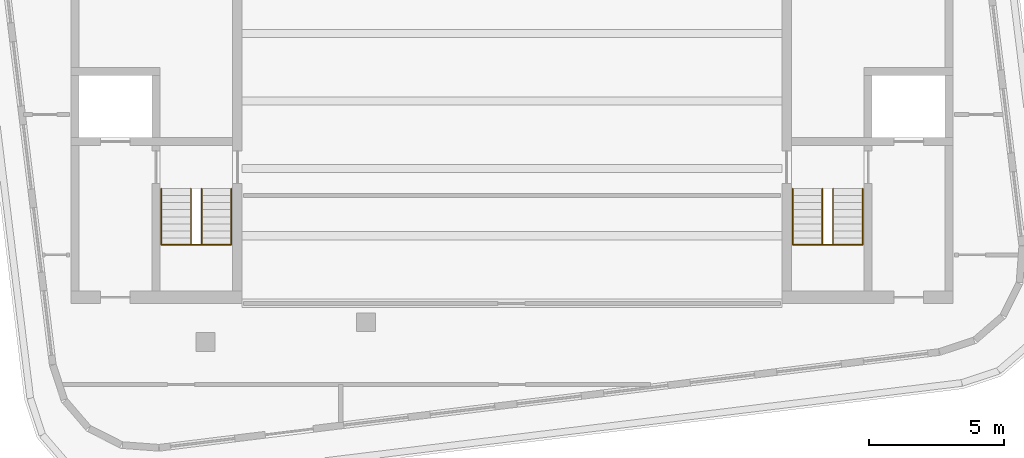
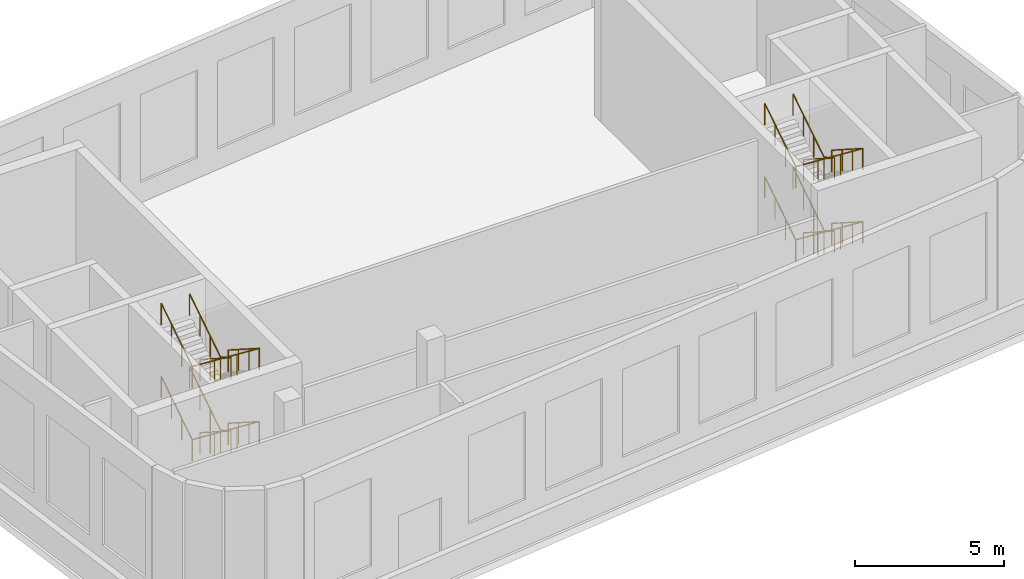
# One storey, part 5 of 5: 8 railings.
"""IFC4 building model written with IfcOpenShell, lengths in metres."""

from ifc_helpers import new_model, si_unit, direction, frame, origin, origin_2d, place, context, subcontext, project, spatial, circle, extrude, material, type_object, element, save


model = new_model("IFC4")

# Units and contexts
model_context = context("Model", 3, precision=1e-05, world=origin(), true_north=direction((0.0, 1.0)))
body_context = subcontext(model_context, "Body", "Model", "MODEL_VIEW")
ifc_project = project(units=[si_unit("LENGTHUNIT", "METRE"), si_unit("AREAUNIT", "SQUARE_METRE"), si_unit("VOLUMEUNIT", "CUBIC_METRE"), si_unit("PLANEANGLEUNIT", "RADIAN"), si_unit("MASSUNIT", "GRAM", prefix="KILO")], contexts=[model_context])

# Site, building, storey
site_placement = place(None, origin())
site = spatial("IfcSite", under=ifc_project, at=site_placement, CompositionType="ELEMENT")
building_placement = place(site_placement, origin())
building = spatial("IfcBuilding", under=site, at=building_placement, Name="Torana Hotel and Residences", CompositionType="ELEMENT")
storey_placement = place(building_placement, frame((0.0, 0.0, 357.39990234375)))
storey = spatial("IfcBuildingStorey", under=building, at=storey_placement, Name="C4", CompositionType="ELEMENT", Elevation=357.39990234375)

# Railings
ifc_material = material(Name="Stainless steel 316", Category="steel")
railing_type = type_object("IfcRailingType", Name="STAIR HANDRAIL HR1 900", PredefinedType="HANDRAIL", material=ifc_material)
railing_1_placement = place(storey_placement, frame((-10.39990234375, -10.75, 0.166748046875)))
element("IfcRailing", 1, at=railing_1_placement, inside=storey, type_object=railing_type, Name="Handrail ST1 C4 O1", PredefinedType="HANDRAIL", context=body_context, shape_type="SweptSolid", body=[
    extrude(circle(Radius=0.02392578125, at=origin_2d()), frame((0.0, 0.0, 0.8759765625), z_axis=(0.0, -0.841903312325, 0.539628402418), x_axis=(1.0, 0.0, 0.0)), (0.0, 0.0, 1.0), 2.470703125),
    extrude(circle(Radius=0.02392578125, at=origin_2d()), frame((0.0, -2.080078125, 2.208984375), z_axis=(-0.997949899857, 0.0, 0.063999979493), x_axis=(0.0, -1.0, 0.0)), (0.0, 0.0, 1.0), 2.60546875),
    extrude(circle(Radius=0.02392578125, at=origin_2d()), frame((-2.60009765625, -2.080078125, 2.3759765625), z_axis=(0.0, 0.841903312325, 0.539628402418), x_axis=(-1.0, 0.0, 0.0)), (0.0, 0.0, 1.0), 2.470703125),
    extrude(circle(Radius=0.02099609375, at=origin_2d()), origin(), (0.0, 0.0, 1.0), 0.851806640625),
    extrude(circle(Radius=0.02099609375, at=origin_2d()), frame((0.0, -0.693359375, 0.4443359375)), (0.0, 0.0, 1.0), 0.851806640625),
    extrude(circle(Radius=0.02099609375, at=origin_2d()), frame((0.0, -1.38671875, 0.888916015625)), (0.0, 0.0, 1.0), 0.851806640625),
    extrude(circle(Radius=0.02099609375, at=origin_2d()), frame((0.0, -2.080078125, 1.333251953125)), (0.0, 0.0, 1.0), 0.851806640625),
    extrude(circle(Radius=0.02099609375, at=origin_2d()), frame((-0.86669921875, -2.080078125, 1.388916015625)), (0.0, 0.0, 1.0), 0.851806640625),
    extrude(circle(Radius=0.02099609375, at=origin_2d()), frame((-1.7333984375, -2.080078125, 1.4443359375)), (0.0, 0.0, 1.0), 0.851806640625),
    extrude(circle(Radius=0.02099609375, at=origin_2d()), frame((-2.60009765625, -2.080078125, 1.5)), (0.0, 0.0, 1.0), 0.851806640625),
    extrude(circle(Radius=0.02099609375, at=origin_2d()), frame((-2.60009765625, -1.38671875, 1.9443359375)), (0.0, 0.0, 1.0), 0.851806640625),
    extrude(circle(Radius=0.02099609375, at=origin_2d()), frame((-2.60009765625, -0.693359375, 2.388916015625)), (0.0, 0.0, 1.0), 0.851806640625),
    extrude(circle(Radius=0.02099609375, at=origin_2d()), frame((-2.60009765625, 0.0, 2.833251953125)), (0.0, 0.0, 1.0), 0.851806640625),
])
railing_2_placement = place(storey_placement, frame((-11.5, -10.75, 0.166748046875)))
element("IfcRailing", 2, at=railing_2_placement, inside=storey, type_object=railing_type, Name="Handrail ST1 C4 I1", PredefinedType="HANDRAIL", context=body_context, shape_type="SweptSolid", body=[
    extrude(circle(Radius=0.02392578125, at=origin_2d()), frame((0.0, 0.0, 0.8759765625), z_axis=(0.0, -0.841903312325, 0.539628402418), x_axis=(1.0, 0.0, 0.0)), (0.0, 0.0, 1.0), 2.470703125),
    extrude(circle(Radius=0.02392578125, at=origin_2d()), frame((0.0, -2.080078125, 2.208984375), z_axis=(-0.922976866191, 0.0, 0.384855433216), x_axis=(0.0, -1.0, 0.0)), (0.0, 0.0, 1.0), 0.433349609375),
    extrude(circle(Radius=0.02392578125, at=origin_2d()), frame((-0.39990234375, -2.080078125, 2.3759765625), z_axis=(0.0, 0.841903312325, 0.539628402418), x_axis=(-1.0, 0.0, 0.0)), (0.0, 0.0, 1.0), 2.470703125),
    extrude(circle(Radius=0.02099609375, at=origin_2d()), origin(), (0.0, 0.0, 1.0), 0.851806640625),
    extrude(circle(Radius=0.02099609375, at=origin_2d()), frame((0.0, -0.693359375, 0.4443359375)), (0.0, 0.0, 1.0), 0.851806640625),
    extrude(circle(Radius=0.02099609375, at=origin_2d()), frame((0.0, -1.38671875, 0.888916015625)), (0.0, 0.0, 1.0), 0.851806640625),
    extrude(circle(Radius=0.02099609375, at=origin_2d()), frame((0.0, -2.080078125, 1.333251953125)), (0.0, 0.0, 1.0), 0.851806640625),
    extrude(circle(Radius=0.02099609375, at=origin_2d()), frame((-0.39990234375, -2.080078125, 1.5)), (0.0, 0.0, 1.0), 0.851806640625),
    extrude(circle(Radius=0.02099609375, at=origin_2d()), frame((-0.39990234375, -1.38671875, 1.9443359375)), (0.0, 0.0, 1.0), 0.851806640625),
    extrude(circle(Radius=0.02099609375, at=origin_2d()), frame((-0.39990234375, -0.693359375, 2.388916015625)), (0.0, 0.0, 1.0), 0.851806640625),
    extrude(circle(Radius=0.02099609375, at=origin_2d()), frame((-0.39990234375, 0.0, 2.833251953125)), (0.0, 0.0, 1.0), 0.851806640625),
])
railing_3_placement = place(storey_placement, frame((-10.39990234375, -10.75, 3.166748046875)))
element("IfcRailing", 3, at=railing_3_placement, inside=storey, type_object=railing_type, Name="Handrail ST1 C4 O2", PredefinedType="HANDRAIL", context=body_context, shape_type="SweptSolid", body=[
    extrude(circle(Radius=0.02392578125, at=origin_2d()), frame((0.0, 0.0, 0.8759765625), z_axis=(0.0, -0.841903312325, 0.539628402418), x_axis=(1.0, 0.0, 0.0)), (0.0, 0.0, 1.0), 2.470703125),
    extrude(circle(Radius=0.02392578125, at=origin_2d()), frame((0.0, -2.080078125, 2.208984375), z_axis=(-0.997949899857, 0.0, 0.063999979493), x_axis=(0.0, -1.0, 0.0)), (0.0, 0.0, 1.0), 2.60546875),
    extrude(circle(Radius=0.02392578125, at=origin_2d()), frame((-2.60009765625, -2.080078125, 2.3759765625), z_axis=(0.0, 0.841903312325, 0.539628402418), x_axis=(-1.0, 0.0, 0.0)), (0.0, 0.0, 1.0), 2.470703125),
    extrude(circle(Radius=0.02099609375, at=origin_2d()), origin(), (0.0, 0.0, 1.0), 0.851806640625),
    extrude(circle(Radius=0.02099609375, at=origin_2d()), frame((0.0, -0.693359375, 0.4443359375)), (0.0, 0.0, 1.0), 0.851806640625),
    extrude(circle(Radius=0.02099609375, at=origin_2d()), frame((0.0, -1.38671875, 0.888916015625)), (0.0, 0.0, 1.0), 0.851806640625),
    extrude(circle(Radius=0.02099609375, at=origin_2d()), frame((0.0, -2.080078125, 1.333251953125)), (0.0, 0.0, 1.0), 0.851806640625),
    extrude(circle(Radius=0.02099609375, at=origin_2d()), frame((-0.86669921875, -2.080078125, 1.388916015625)), (0.0, 0.0, 1.0), 0.851806640625),
    extrude(circle(Radius=0.02099609375, at=origin_2d()), frame((-1.7333984375, -2.080078125, 1.4443359375)), (0.0, 0.0, 1.0), 0.851806640625),
    extrude(circle(Radius=0.02099609375, at=origin_2d()), frame((-2.60009765625, -2.080078125, 1.5)), (0.0, 0.0, 1.0), 0.851806640625),
    extrude(circle(Radius=0.02099609375, at=origin_2d()), frame((-2.60009765625, -1.38671875, 1.9443359375)), (0.0, 0.0, 1.0), 0.851806640625),
    extrude(circle(Radius=0.02099609375, at=origin_2d()), frame((-2.60009765625, -0.693359375, 2.388916015625)), (0.0, 0.0, 1.0), 0.851806640625),
    extrude(circle(Radius=0.02099609375, at=origin_2d()), frame((-2.60009765625, 0.0, 2.833251953125)), (0.0, 0.0, 1.0), 0.851806640625),
])
railing_4_placement = place(storey_placement, frame((-11.5, -10.75, 3.166748046875)))
element("IfcRailing", 4, at=railing_4_placement, inside=storey, type_object=railing_type, Name="Handrail ST1 C4 I2", PredefinedType="HANDRAIL", context=body_context, shape_type="SweptSolid", body=[
    extrude(circle(Radius=0.02392578125, at=origin_2d()), frame((0.0, 0.0, 0.8759765625), z_axis=(0.0, -0.841903312325, 0.539628402418), x_axis=(1.0, 0.0, 0.0)), (0.0, 0.0, 1.0), 2.470703125),
    extrude(circle(Radius=0.02392578125, at=origin_2d()), frame((0.0, -2.080078125, 2.208984375), z_axis=(-0.922976866191, 0.0, 0.384855433216), x_axis=(0.0, -1.0, 0.0)), (0.0, 0.0, 1.0), 0.433349609375),
    extrude(circle(Radius=0.02392578125, at=origin_2d()), frame((-0.39990234375, -2.080078125, 2.3759765625), z_axis=(0.0, 0.841903312325, 0.539628402418), x_axis=(-1.0, 0.0, 0.0)), (0.0, 0.0, 1.0), 2.470703125),
    extrude(circle(Radius=0.02099609375, at=origin_2d()), origin(), (0.0, 0.0, 1.0), 0.851806640625),
    extrude(circle(Radius=0.02099609375, at=origin_2d()), frame((0.0, -0.693359375, 0.4443359375)), (0.0, 0.0, 1.0), 0.851806640625),
    extrude(circle(Radius=0.02099609375, at=origin_2d()), frame((0.0, -1.38671875, 0.888916015625)), (0.0, 0.0, 1.0), 0.851806640625),
    extrude(circle(Radius=0.02099609375, at=origin_2d()), frame((0.0, -2.080078125, 1.333251953125)), (0.0, 0.0, 1.0), 0.851806640625),
    extrude(circle(Radius=0.02099609375, at=origin_2d()), frame((-0.39990234375, -2.080078125, 1.5)), (0.0, 0.0, 1.0), 0.851806640625),
    extrude(circle(Radius=0.02099609375, at=origin_2d()), frame((-0.39990234375, -1.38671875, 1.9443359375)), (0.0, 0.0, 1.0), 0.851806640625),
    extrude(circle(Radius=0.02099609375, at=origin_2d()), frame((-0.39990234375, -0.693359375, 2.388916015625)), (0.0, 0.0, 1.0), 0.851806640625),
    extrude(circle(Radius=0.02099609375, at=origin_2d()), frame((-0.39990234375, 0.0, 2.833251953125)), (0.0, 0.0, 1.0), 0.851806640625),
])
railing_5_placement = place(storey_placement, frame((13.0, -10.75, 0.166748046875)))
element("IfcRailing", 5, at=railing_5_placement, inside=storey, type_object=railing_type, Name="Handrail ST3 C4 O1", PredefinedType="HANDRAIL", context=body_context, shape_type="SweptSolid", body=[
    extrude(circle(Radius=0.02392578125, at=origin_2d()), frame((0.0, 0.0, 0.8759765625), z_axis=(0.0, -0.841903312325, 0.539628402418), x_axis=(1.0, 0.0, 0.0)), (0.0, 0.0, 1.0), 2.470703125),
    extrude(circle(Radius=0.02392578125, at=origin_2d()), frame((0.0, -2.080078125, 2.208984375), z_axis=(-0.997949899857, 0.0, 0.063999979493), x_axis=(0.0, -1.0, 0.0)), (0.0, 0.0, 1.0), 2.60546875),
    extrude(circle(Radius=0.02392578125, at=origin_2d()), frame((-2.60009765625, -2.080078125, 2.3759765625), z_axis=(0.0, 0.841903312325, 0.539628402418), x_axis=(-1.0, 0.0, 0.0)), (0.0, 0.0, 1.0), 2.470703125),
    extrude(circle(Radius=0.02099609375, at=origin_2d()), origin(), (0.0, 0.0, 1.0), 0.851806640625),
    extrude(circle(Radius=0.02099609375, at=origin_2d()), frame((0.0, -0.693359375, 0.4443359375)), (0.0, 0.0, 1.0), 0.851806640625),
    extrude(circle(Radius=0.02099609375, at=origin_2d()), frame((0.0, -1.38671875, 0.888916015625)), (0.0, 0.0, 1.0), 0.851806640625),
    extrude(circle(Radius=0.02099609375, at=origin_2d()), frame((0.0, -2.080078125, 1.333251953125)), (0.0, 0.0, 1.0), 0.851806640625),
    extrude(circle(Radius=0.02099609375, at=origin_2d()), frame((-0.86669921875, -2.080078125, 1.388916015625)), (0.0, 0.0, 1.0), 0.851806640625),
    extrude(circle(Radius=0.02099609375, at=origin_2d()), frame((-1.7333984375, -2.080078125, 1.4443359375)), (0.0, 0.0, 1.0), 0.851806640625),
    extrude(circle(Radius=0.02099609375, at=origin_2d()), frame((-2.60009765625, -2.080078125, 1.5)), (0.0, 0.0, 1.0), 0.851806640625),
    extrude(circle(Radius=0.02099609375, at=origin_2d()), frame((-2.60009765625, -1.38671875, 1.9443359375)), (0.0, 0.0, 1.0), 0.851806640625),
    extrude(circle(Radius=0.02099609375, at=origin_2d()), frame((-2.60009765625, -0.693359375, 2.388916015625)), (0.0, 0.0, 1.0), 0.851806640625),
    extrude(circle(Radius=0.02099609375, at=origin_2d()), frame((-2.60009765625, 0.0, 2.833251953125)), (0.0, 0.0, 1.0), 0.851806640625),
])
railing_6_placement = place(storey_placement, frame((11.89990234375, -10.75, 0.166748046875)))
element("IfcRailing", 6, at=railing_6_placement, inside=storey, type_object=railing_type, Name="Handrail ST3 C4 I1", PredefinedType="HANDRAIL", context=body_context, shape_type="SweptSolid", body=[
    extrude(circle(Radius=0.02392578125, at=origin_2d()), frame((0.0, 0.0, 0.8759765625), z_axis=(0.0, -0.841903312325, 0.539628402418), x_axis=(1.0, 0.0, 0.0)), (0.0, 0.0, 1.0), 2.470703125),
    extrude(circle(Radius=0.02392578125, at=origin_2d()), frame((0.0, -2.080078125, 2.208984375), z_axis=(-0.922976866191, 0.0, 0.384855433216), x_axis=(0.0, -1.0, 0.0)), (0.0, 0.0, 1.0), 0.433349609375),
    extrude(circle(Radius=0.02392578125, at=origin_2d()), frame((-0.39990234375, -2.080078125, 2.3759765625), z_axis=(0.0, 0.841903312325, 0.539628402418), x_axis=(-1.0, 0.0, 0.0)), (0.0, 0.0, 1.0), 2.470703125),
    extrude(circle(Radius=0.02099609375, at=origin_2d()), origin(), (0.0, 0.0, 1.0), 0.851806640625),
    extrude(circle(Radius=0.02099609375, at=origin_2d()), frame((0.0, -0.693359375, 0.4443359375)), (0.0, 0.0, 1.0), 0.851806640625),
    extrude(circle(Radius=0.02099609375, at=origin_2d()), frame((0.0, -1.38671875, 0.888916015625)), (0.0, 0.0, 1.0), 0.851806640625),
    extrude(circle(Radius=0.02099609375, at=origin_2d()), frame((0.0, -2.080078125, 1.333251953125)), (0.0, 0.0, 1.0), 0.851806640625),
    extrude(circle(Radius=0.02099609375, at=origin_2d()), frame((-0.39990234375, -2.080078125, 1.5)), (0.0, 0.0, 1.0), 0.851806640625),
    extrude(circle(Radius=0.02099609375, at=origin_2d()), frame((-0.39990234375, -1.38671875, 1.9443359375)), (0.0, 0.0, 1.0), 0.851806640625),
    extrude(circle(Radius=0.02099609375, at=origin_2d()), frame((-0.39990234375, -0.693359375, 2.388916015625)), (0.0, 0.0, 1.0), 0.851806640625),
    extrude(circle(Radius=0.02099609375, at=origin_2d()), frame((-0.39990234375, 0.0, 2.833251953125)), (0.0, 0.0, 1.0), 0.851806640625),
])
railing_7_placement = place(storey_placement, frame((13.0, -10.75, 3.166748046875)))
element("IfcRailing", 7, at=railing_7_placement, inside=storey, type_object=railing_type, Name="Handrail ST3 C4 O2", PredefinedType="HANDRAIL", context=body_context, shape_type="SweptSolid", body=[
    extrude(circle(Radius=0.02392578125, at=origin_2d()), frame((0.0, 0.0, 0.8759765625), z_axis=(0.0, -0.841903312325, 0.539628402418), x_axis=(1.0, 0.0, 0.0)), (0.0, 0.0, 1.0), 2.470703125),
    extrude(circle(Radius=0.02392578125, at=origin_2d()), frame((0.0, -2.080078125, 2.208984375), z_axis=(-0.997949899857, 0.0, 0.063999979493), x_axis=(0.0, -1.0, 0.0)), (0.0, 0.0, 1.0), 2.60546875),
    extrude(circle(Radius=0.02392578125, at=origin_2d()), frame((-2.60009765625, -2.080078125, 2.3759765625), z_axis=(0.0, 0.841903312325, 0.539628402418), x_axis=(-1.0, 0.0, 0.0)), (0.0, 0.0, 1.0), 2.470703125),
    extrude(circle(Radius=0.02099609375, at=origin_2d()), origin(), (0.0, 0.0, 1.0), 0.851806640625),
    extrude(circle(Radius=0.02099609375, at=origin_2d()), frame((0.0, -0.693359375, 0.4443359375)), (0.0, 0.0, 1.0), 0.851806640625),
    extrude(circle(Radius=0.02099609375, at=origin_2d()), frame((0.0, -1.38671875, 0.888916015625)), (0.0, 0.0, 1.0), 0.851806640625),
    extrude(circle(Radius=0.02099609375, at=origin_2d()), frame((0.0, -2.080078125, 1.333251953125)), (0.0, 0.0, 1.0), 0.851806640625),
    extrude(circle(Radius=0.02099609375, at=origin_2d()), frame((-0.86669921875, -2.080078125, 1.388916015625)), (0.0, 0.0, 1.0), 0.851806640625),
    extrude(circle(Radius=0.02099609375, at=origin_2d()), frame((-1.7333984375, -2.080078125, 1.4443359375)), (0.0, 0.0, 1.0), 0.851806640625),
    extrude(circle(Radius=0.02099609375, at=origin_2d()), frame((-2.60009765625, -2.080078125, 1.5)), (0.0, 0.0, 1.0), 0.851806640625),
    extrude(circle(Radius=0.02099609375, at=origin_2d()), frame((-2.60009765625, -1.38671875, 1.9443359375)), (0.0, 0.0, 1.0), 0.851806640625),
    extrude(circle(Radius=0.02099609375, at=origin_2d()), frame((-2.60009765625, -0.693359375, 2.388916015625)), (0.0, 0.0, 1.0), 0.851806640625),
    extrude(circle(Radius=0.02099609375, at=origin_2d()), frame((-2.60009765625, 0.0, 2.833251953125)), (0.0, 0.0, 1.0), 0.851806640625),
])
railing_8_placement = place(storey_placement, frame((11.89990234375, -10.75, 3.166748046875)))
element("IfcRailing", 8, at=railing_8_placement, inside=storey, type_object=railing_type, Name="Handrail ST3 C4 I2", PredefinedType="HANDRAIL", context=body_context, shape_type="SweptSolid", body=[
    extrude(circle(Radius=0.02392578125, at=origin_2d()), frame((0.0, 0.0, 0.8759765625), z_axis=(0.0, -0.841903312325, 0.539628402418), x_axis=(1.0, 0.0, 0.0)), (0.0, 0.0, 1.0), 2.470703125),
    extrude(circle(Radius=0.02392578125, at=origin_2d()), frame((0.0, -2.080078125, 2.208984375), z_axis=(-0.922976866191, 0.0, 0.384855433216), x_axis=(0.0, -1.0, 0.0)), (0.0, 0.0, 1.0), 0.433349609375),
    extrude(circle(Radius=0.02392578125, at=origin_2d()), frame((-0.39990234375, -2.080078125, 2.3759765625), z_axis=(0.0, 0.841903312325, 0.539628402418), x_axis=(-1.0, 0.0, 0.0)), (0.0, 0.0, 1.0), 2.470703125),
    extrude(circle(Radius=0.02099609375, at=origin_2d()), origin(), (0.0, 0.0, 1.0), 0.851806640625),
    extrude(circle(Radius=0.02099609375, at=origin_2d()), frame((0.0, -0.693359375, 0.4443359375)), (0.0, 0.0, 1.0), 0.851806640625),
    extrude(circle(Radius=0.02099609375, at=origin_2d()), frame((0.0, -1.38671875, 0.888916015625)), (0.0, 0.0, 1.0), 0.851806640625),
    extrude(circle(Radius=0.02099609375, at=origin_2d()), frame((0.0, -2.080078125, 1.333251953125)), (0.0, 0.0, 1.0), 0.851806640625),
    extrude(circle(Radius=0.02099609375, at=origin_2d()), frame((-0.39990234375, -2.080078125, 1.5)), (0.0, 0.0, 1.0), 0.851806640625),
    extrude(circle(Radius=0.02099609375, at=origin_2d()), frame((-0.39990234375, -1.38671875, 1.9443359375)), (0.0, 0.0, 1.0), 0.851806640625),
    extrude(circle(Radius=0.02099609375, at=origin_2d()), frame((-0.39990234375, -0.693359375, 2.388916015625)), (0.0, 0.0, 1.0), 0.851806640625),
    extrude(circle(Radius=0.02099609375, at=origin_2d()), frame((-0.39990234375, 0.0, 2.833251953125)), (0.0, 0.0, 1.0), 0.851806640625),
])

save(model, "model.ifc")
